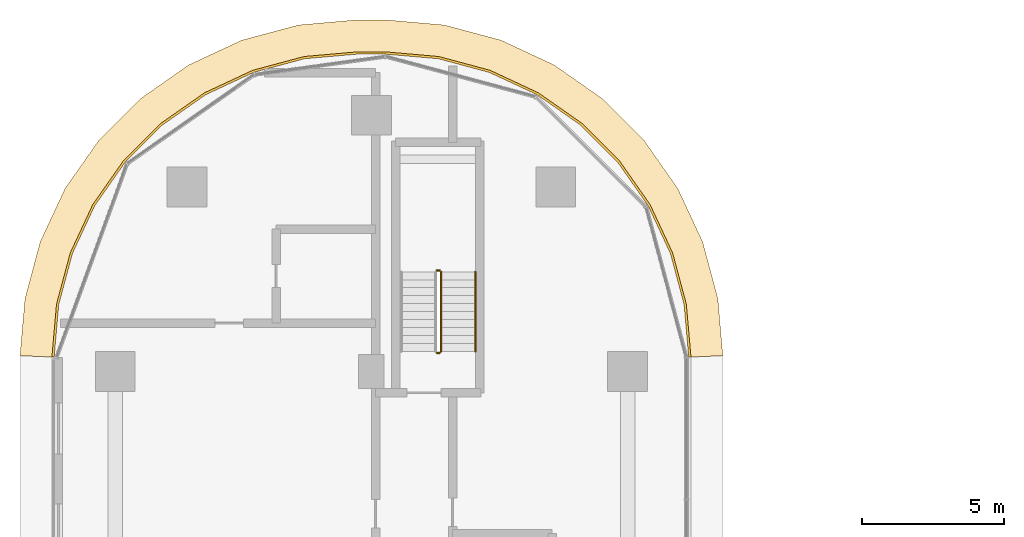
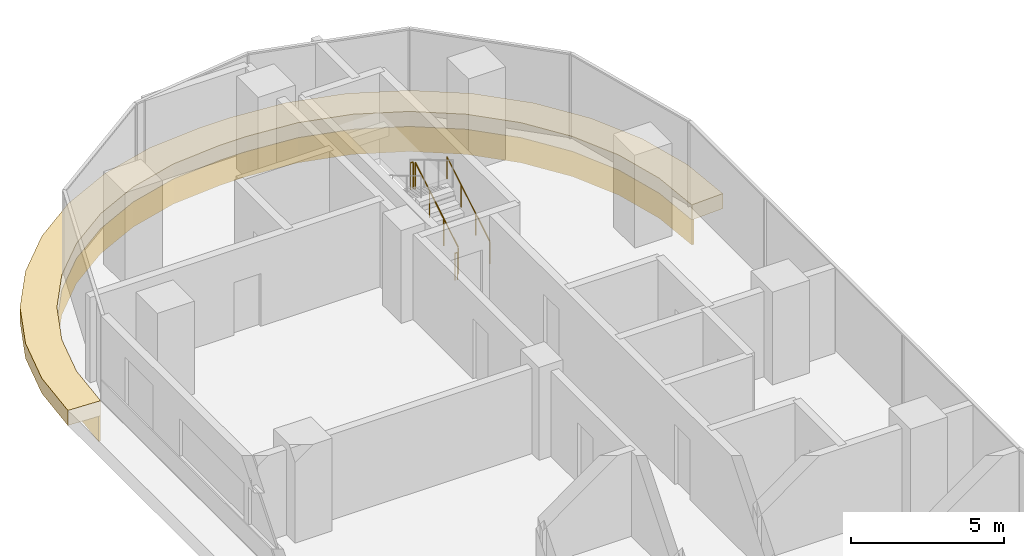
# One storey, part 33 of 36: 4 railings, 2 coverings.
"""IFC4 building model written with IfcOpenShell, lengths in metres."""

from ifc_helpers import new_model, si_unit, direction, frame, origin, origin_2d, place, context, subcontext, project, spatial, polyline, circle, outline, extrude, material, layer, layer_set, type_object, element, save


model = new_model("IFC4")

# Units and contexts
model_context = context("Model", 3, precision=1e-05, world=origin(), true_north=direction((0.0, 1.0)))
body_context = subcontext(model_context, "Body", "Model", "MODEL_VIEW")
ifc_project = project(units=[si_unit("LENGTHUNIT", "METRE"), si_unit("AREAUNIT", "SQUARE_METRE"), si_unit("VOLUMEUNIT", "CUBIC_METRE"), si_unit("PLANEANGLEUNIT", "RADIAN"), si_unit("MASSUNIT", "GRAM", prefix="KILO")], contexts=[model_context])

# Site, building, storey
site_placement = place(None, origin())
site = spatial("IfcSite", under=ifc_project, at=site_placement, CompositionType="ELEMENT")
building_placement = place(site_placement, origin())
building = spatial("IfcBuilding", under=site, at=building_placement, Name="Ogive Portal Towers", CompositionType="ELEMENT")
storey_placement = place(building_placement, frame((0.0, 0.0, 52.0)))
storey = spatial("IfcBuildingStorey", under=building, at=storey_placement, Name="L11", CompositionType="ELEMENT", Elevation=52.0)

# Railings
ifc_material_1 = material(Name="Stainless steel balustrade", Category="steel")
railing_type_1 = type_object("IfcRailingType", Name="INT-GUARD", PredefinedType="GUARDRAIL", material=ifc_material_1)
railing_1_placement = place(storey_placement, frame((42.949951171875, 67.199951171875, 0.168212890625)))
element("IfcRailing", 1, at=railing_1_placement, inside=storey, type_object=railing_type_1, Name="L11 ST-A3 stair guard 1", PredefinedType="GUARDRAIL", context=body_context, shape_type="SweptSolid", body=[
    extrude(circle(Radius=0.02392578125, at=origin_2d()), frame((0.0, 0.0, 1.076171875), z_axis=(0.0, 0.857242210791, 0.514913383045), x_axis=(-1.0, 0.0, 0.0)), (0.0, 0.0, 1.0), 3.266357421875),
    extrude(circle(Radius=0.02099609375, at=origin_2d()), origin(), (0.0, 0.0, 1.0), 1.052001953125),
    extrude(circle(Radius=0.02099609375, at=origin_2d()), frame((0.0, 0.933349609375, 0.560546875)), (0.0, 0.0, 1.0), 1.052001953125),
    extrude(circle(Radius=0.02099609375, at=origin_2d()), frame((0.0, 1.86669921875, 1.121337890625)), (0.0, 0.0, 1.0), 1.052001953125),
    extrude(circle(Radius=0.02099609375, at=origin_2d()), frame((0.0, 2.800048828125, 1.681884765625)), (0.0, 0.0, 1.0), 1.052001953125),
])
for number, where, name in (
    (2, (42.89990234375, 70.050048828125, 1.85009765625), "L11 ST-A3 stair guard 2"),
    (3, (42.89990234375, 67.14990234375, 0.0), "L11 ST-A3 stair guard 4"),
):
    element("IfcRailing", number, at=place(storey_placement, frame(where)), inside=storey, type_object=railing_type_1, Name=name, PredefinedType="GUARDRAIL", context=body_context, shape_type="SweptSolid", body=[
        extrude(circle(Radius=0.02392578125, at=origin_2d()), frame((0.0, 0.0, 1.076171875), z_axis=(-1.0, 0.0, 0.0), x_axis=(0.0, -1.0, 0.0)), (0.0, 0.0, 1.0), 0.099853515625),
        extrude(circle(Radius=0.02099609375, at=origin_2d()), origin(), (0.0, 0.0, 1.0), 1.052001953125),
        extrude(circle(Radius=0.02099609375, at=origin_2d()), frame((-0.099853515625, 0.0, 0.0)), (0.0, 0.0, 1.0), 1.052001953125),
    ])
ifc_material_2 = material(Name="Stainless steel handrail", Category="steel")
railing_type_2 = type_object("IfcRailingType", Name="INT-HANDRAIL", PredefinedType="HANDRAIL", material=ifc_material_2)
railing_2_placement = place(storey_placement, frame((44.14990234375, 67.199951171875, 0.168212890625)))
element("IfcRailing", 4, at=railing_2_placement, inside=storey, type_object=railing_type_2, Name="L11 ST-A3 stair handrail 1", PredefinedType="HANDRAIL", context=body_context, shape_type="SweptSolid", body=[
    extrude(circle(Radius=0.02392578125, at=origin_2d()), frame((0.0, 0.0, 0.8759765625), z_axis=(0.0, 0.857242210791, 0.514913383045), x_axis=(-1.0, 0.0, 0.0)), (0.0, 0.0, 1.0), 3.266357421875),
    extrude(circle(Radius=0.02099609375, at=origin_2d()), origin(), (0.0, 0.0, 1.0), 0.851806640625),
    extrude(circle(Radius=0.02099609375, at=origin_2d()), frame((0.0, 0.933349609375, 0.560546875)), (0.0, 0.0, 1.0), 0.851806640625),
    extrude(circle(Radius=0.02099609375, at=origin_2d()), frame((0.0, 1.86669921875, 1.121337890625)), (0.0, 0.0, 1.0), 0.851806640625),
    extrude(circle(Radius=0.02099609375, at=origin_2d()), frame((0.0, 2.800048828125, 1.681884765625)), (0.0, 0.0, 1.0), 0.851806640625),
])

# Coverings
ifc_material_3 = material(Name="Limestone cladding on lightweight block wall", Category="masonry")
ifc_layer_1 = layer(ifc_material_3, 0.080078125)
ifc_layer_set_1 = layer_set([ifc_layer_1], Name="STONE SPANDREL 80")
covering_type_1 = type_object("IfcCoveringType", Name="STONE SPANDREL 80", PredefinedType="CLADDING", material=ifc_layer_set_1)
covering_1_placement = place(storey_placement, frame((0.0, 0.0, -1.60009765625)))
element("IfcCovering", 5, at=covering_1_placement, inside=storey, type_object=covering_type_1, Name="Stone spandrel A1-F12", PredefinedType="CLADDING", context=body_context, shape_type="SweptSolid", body=[
    extrude(outline(polyline([(51.64501953125, 67.0), (51.4833984375, 68.848388671875), (51.0029296875, 70.640869140625), (50.21875, 72.322509765625), (49.154541015625, 73.842529296875), (47.842529296875, 75.154541015625), (46.322509765625, 76.21875), (44.640869140625, 77.0029296875), (42.848388671875, 77.4833984375), (41.0, 77.64501953125), (40.0, 77.64501953125), (38.151611328125, 77.4833984375), (36.359130859375, 77.0029296875), (34.677490234375, 76.21875), (33.157470703125, 75.154541015625), (31.845458984375, 73.842529296875), (30.78125, 72.322509765625), (29.9970703125, 70.640869140625), (29.5166015625, 68.848388671875), (29.35498046875, 67.0), (29.27490234375, 67.00341796875), (29.437744140625, 68.862548828125), (29.921630859375, 70.668212890625), (30.711669921875, 72.362548828125), (31.783935546875, 73.89404296875), (33.10595703125, 75.216064453125), (34.637451171875, 76.288330078125), (36.331787109375, 77.078369140625), (38.137451171875, 77.562255859375), (39.99658203125, 77.72509765625), (41.00341796875, 77.72509765625), (42.862548828125, 77.562255859375), (44.668212890625, 77.078369140625), (46.362548828125, 76.288330078125), (47.89404296875, 75.216064453125), (49.216064453125, 73.89404296875), (50.288330078125, 72.362548828125), (51.078369140625, 70.668212890625), (51.562255859375, 68.862548828125), (51.72509765625, 67.00341796875), (51.64501953125, 67.0)])), origin(), (0.0, 0.0, 1.0), 1.0),
])
ifc_layer_2 = layer(ifc_material_3, 0.60009765625)
ifc_layer_set_2 = layer_set([ifc_layer_2], Name="SUNSHADE LIP 600")
covering_type_2 = type_object("IfcCoveringType", Name="SUNSHADE LIP 600", PredefinedType="CLADDING", material=ifc_layer_set_2)
covering_2_placement = place(storey_placement, frame((0.0, 0.0, -0.60009765625)))
element("IfcCovering", 6, at=covering_2_placement, inside=storey, type_object=covering_type_2, Name="Sunshade lip A1-F12", PredefinedType="CLADDING", context=body_context, shape_type="SweptSolid", body=[
    extrude(outline(polyline([(51.64501953125, 67.0), (51.4833984375, 68.848388671875), (51.0029296875, 70.640869140625), (50.21875, 72.322509765625), (49.154541015625, 73.842529296875), (47.842529296875, 75.154541015625), (46.322509765625, 76.21875), (44.640869140625, 77.0029296875), (42.848388671875, 77.4833984375), (41.0, 77.64501953125), (40.0, 77.64501953125), (38.151611328125, 77.4833984375), (36.359130859375, 77.0029296875), (34.677490234375, 76.21875), (33.157470703125, 75.154541015625), (31.845458984375, 73.842529296875), (30.78125, 72.322509765625), (29.9970703125, 70.640869140625), (29.5166015625, 68.848388671875), (29.35498046875, 67.0), (28.155029296875, 67.052490234375), (28.330322265625, 69.0576171875), (28.864990234375, 71.052734375), (29.738037109375, 72.9248046875), (30.922607421875, 74.61669921875), (32.38330078125, 76.077392578125), (34.0751953125, 77.261962890625), (35.947265625, 78.135009765625), (37.9423828125, 78.669677734375), (39.947509765625, 78.844970703125), (41.052490234375, 78.844970703125), (43.0576171875, 78.669677734375), (45.052734375, 78.135009765625), (46.9248046875, 77.261962890625), (48.61669921875, 76.077392578125), (50.077392578125, 74.61669921875), (51.261962890625, 72.9248046875), (52.135009765625, 71.052734375), (52.669677734375, 69.0576171875), (52.844970703125, 67.052490234375), (51.64501953125, 67.0)])), origin(), (0.0, 0.0, 1.0), 0.60009765625),
])

save(model, "model.ifc")
